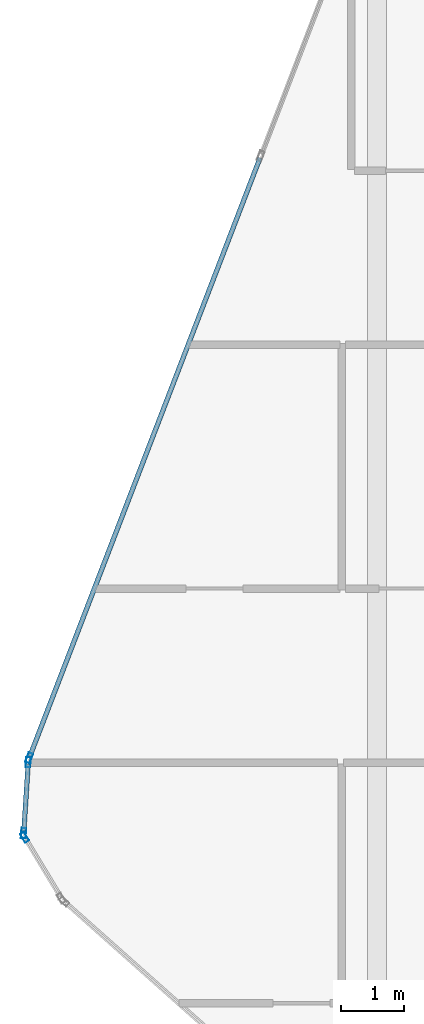
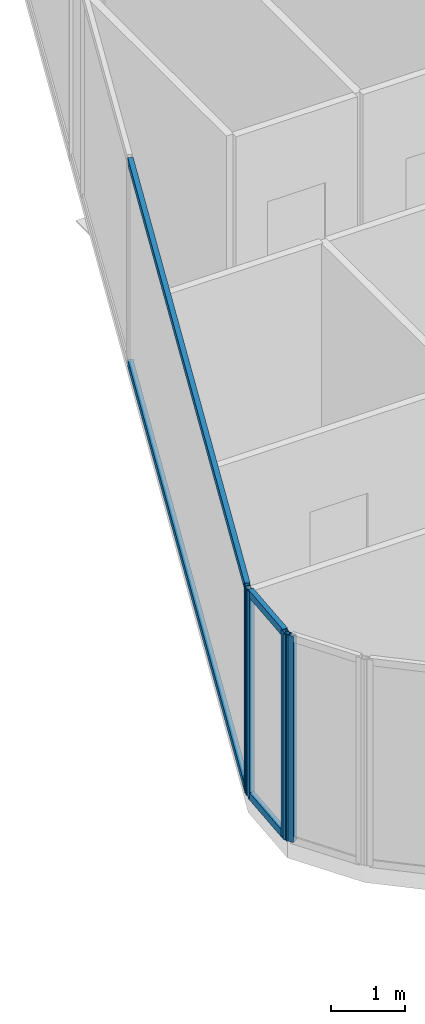
# One storey, part 8 of 27: 8 members, 3 elements without a shape of their own.
"""IFC4 building model written with IfcOpenShell, lengths in metres."""

from ifc_helpers import new_model, si_unit, direction, frame, origin, origin_2d, place, context, subcontext, project, spatial, hollow_rectangle, extrude, material, layer, layer_set, material_profile, profile_set, type_object, element, aggregate, save


model = new_model("IFC4")

# Units and contexts
model_context = context("Model", 3, precision=1e-05, world=origin(), true_north=direction((0.0, 1.0)))
body_context = subcontext(model_context, "Body", "Model", "MODEL_VIEW")
ifc_project = project(units=[si_unit("LENGTHUNIT", "METRE"), si_unit("AREAUNIT", "SQUARE_METRE"), si_unit("VOLUMEUNIT", "CUBIC_METRE"), si_unit("PLANEANGLEUNIT", "RADIAN"), si_unit("MASSUNIT", "GRAM", prefix="KILO")], contexts=[model_context])

# Site, building, storey
site_placement = place(None, origin())
site = spatial("IfcSite", under=ifc_project, at=site_placement, CompositionType="ELEMENT")
building_placement = place(site_placement, origin())
building = spatial("IfcBuilding", under=site, at=building_placement, Name="Keshet Zoharim Tower", CompositionType="ELEMENT")
storey_placement = place(building_placement, frame((0.0, 0.0, 269.5)))
storey = spatial("IfcBuildingStorey", under=building, at=storey_placement, Name="L67", CompositionType="ELEMENT", Elevation=269.5)

# Curtain wall, member
ifc_material = material(Name="Aluminium 6063-T6", Category="aluminium")
ifc_layer = layer(ifc_material, 0.260009765625)
ifc_layer_set = layer_set([ifc_layer], Name="Aluminium 6063-T6")
curtain_wall_type = type_object("IfcCurtainWallType", Name="CW-SYS-06", PredefinedType="NOTDEFINED", material=ifc_layer_set)
curtain_wall_1_placement = place(storey_placement, origin())
curtain_wall_1 = element("IfcCurtainWall", 1, at=curtain_wall_1_placement, inside=storey, type_object=curtain_wall_type, Name="L67 Unitised Curtain Wall 01", PredefinedType="NOTDEFINED")
ifc_material_profile_1 = material_profile(ifc_material, hollow_rectangle(XDim=0.074951171875, YDim=0.159912109375, WallThickness=0.00390625, at=origin_2d()), Name="MUL-75x160")
ifc_profile_set_1 = profile_set([ifc_material_profile_1], Name="Aluminium 6063-T6")
member_type_1 = type_object("IfcMemberType", Name="CWM-M15", PredefinedType="MULLION", material=ifc_profile_set_1)
member_1_placement = place(storey_placement, frame((3.43798828125, 22.77197265625, 0.0), z_axis=(0.0, 0.0, 1.0), x_axis=(-0.856826433805, -0.515604947933, 0.0)))
member_1 = element("IfcMember", 2, at=member_1_placement, type_object=member_type_1, Name="CW-06 mullion 2", PredefinedType="MULLION", context=body_context, shape_type="SweptSolid", body=[
    extrude(hollow_rectangle(XDim=0.074951171875, YDim=0.159912109375, WallThickness=0.00390625, at=origin_2d()), origin(), (0.0, 0.0, 1.0), 3.389892578125),
])
aggregate(curtain_wall_1, [member_1])

# Curtain wall, members
curtain_wall_2_placement = place(storey_placement, origin())
curtain_wall_2 = element("IfcCurtainWall", 3, at=curtain_wall_2_placement, inside=storey, type_object=curtain_wall_type, Name="L67 Unitised Curtain Wall 02", PredefinedType="NOTDEFINED")
member_2_placement = place(storey_placement, frame((3.42236328125, 22.8369140625, 0.0), z_axis=(0.0, 0.0, 1.0), x_axis=(-0.997916617186, 0.064516859374, 0.0)))
member_2 = element("IfcMember", 4, at=member_2_placement, type_object=member_type_1, Name="CW-06 mullion 1", PredefinedType="MULLION", context=body_context, shape_type="SweptSolid", body=[
    extrude(hollow_rectangle(XDim=0.074951171875, YDim=0.159912109375, WallThickness=0.00390625, at=origin_2d()), origin(), (0.0, 0.0, 1.0), 3.389892578125),
])
member_3_placement = place(storey_placement, frame((3.49462890625, 23.9580078125, 0.0), z_axis=(0.0, 0.0, 1.0), x_axis=(-0.997916617186, 0.064516859374, 0.0)))
member_3 = element("IfcMember", 5, at=member_3_placement, type_object=member_type_1, Name="CW-06 mullion 2", PredefinedType="MULLION", context=body_context, shape_type="SweptSolid", body=[
    extrude(hollow_rectangle(XDim=0.074951171875, YDim=0.159912109375, WallThickness=0.00390625, at=origin_2d()), origin(), (0.0, 0.0, 1.0), 3.389892578125),
])

# Curtain wall, member
curtain_wall_3_placement = place(storey_placement, origin())
curtain_wall_3 = element("IfcCurtainWall", 6, at=curtain_wall_3_placement, inside=storey, type_object=curtain_wall_type, Name="L67 Unitised Curtain Wall 03", PredefinedType="NOTDEFINED")
member_4_placement = place(storey_placement, frame((3.509521484375, 24.025634765625, 0.0), z_axis=(0.0, 0.0, 1.0), x_axis=(-0.933341404361, 0.358990003907, 0.0)))
member_4 = element("IfcMember", 7, at=member_4_placement, type_object=member_type_1, Name="CW-06 mullion 1", PredefinedType="MULLION", context=body_context, shape_type="SweptSolid", body=[
    extrude(hollow_rectangle(XDim=0.074951171875, YDim=0.159912109375, WallThickness=0.00390625, at=origin_2d()), origin(), (0.0, 0.0, 1.0), 3.389892578125),
])

# Member
ifc_material_profile_2 = material_profile(ifc_material, hollow_rectangle(XDim=0.074951171875, YDim=0.1201171875, WallThickness=0.00390625, at=origin_2d()), Name="TRN-75x120")
ifc_profile_set_2 = profile_set([ifc_material_profile_2], Name="Aluminium 6063-T6")
member_type_2 = type_object("IfcMemberType", Name="CWT-T12", PredefinedType="USERDEFINED", material=ifc_profile_set_2)
member_5_placement = place(storey_placement, frame((3.424560546875, 22.871826171875, 0.034912109375), z_axis=(0.064426947155, 0.997922426083, 0.0), x_axis=(-0.997922426083, 0.064426947155, 0.0)))
member_5 = element("IfcMember", 8, at=member_5_placement, type_object=member_type_2, Name="CW-06 transom 1.1", ObjectType="TRANSOM", PredefinedType="USERDEFINED", context=body_context, shape_type="SweptSolid", body=[
    extrude(hollow_rectangle(XDim=0.074951171875, YDim=0.1201171875, WallThickness=0.00390625, at=origin_2d()), origin(), (0.0, 0.0, 1.0), 1.053466796875),
])

member_6_placement = place(storey_placement, frame((3.424560546875, 22.871826171875, 3.35498046875), z_axis=(0.064426947155, 0.997922426083, 0.0), x_axis=(-0.997922426083, 0.064426947155, 0.0)))
member_6 = element("IfcMember", 9, at=member_6_placement, type_object=member_type_2, Name="CW-06 transom 1.2", ObjectType="TRANSOM", PredefinedType="USERDEFINED", context=body_context, shape_type="SweptSolid", body=[
    extrude(hollow_rectangle(XDim=0.074951171875, YDim=0.1201171875, WallThickness=0.00390625, at=origin_2d()), origin(), (0.0, 0.0, 1.0), 1.053466796875),
])

aggregate(curtain_wall_2, [member_2, member_3, member_5, member_6])

member_7_placement = place(storey_placement, frame((3.522216796875, 24.058349609375, 0.034912109375), z_axis=(0.358993631387, 0.93334000912, 0.0), x_axis=(-0.93334000912, 0.358993631387, 0.0)))
member_7 = element("IfcMember", 10, at=member_7_placement, type_object=member_type_2, Name="CW-06 transom 1.1", ObjectType="TRANSOM", PredefinedType="USERDEFINED", context=body_context, shape_type="SweptSolid", body=[
    extrude(hollow_rectangle(XDim=0.074951171875, YDim=0.1201171875, WallThickness=0.00390625, at=origin_2d()), origin(), (0.0, 0.0, 1.0), 10.1181640625),
])

member_8_placement = place(storey_placement, frame((3.522216796875, 24.058349609375, 3.35498046875), z_axis=(0.358993631387, 0.93334000912, 0.0), x_axis=(-0.93334000912, 0.358993631387, 0.0)))
member_8 = element("IfcMember", 11, at=member_8_placement, type_object=member_type_2, Name="CW-06 transom 1.2", ObjectType="TRANSOM", PredefinedType="USERDEFINED", context=body_context, shape_type="SweptSolid", body=[
    extrude(hollow_rectangle(XDim=0.074951171875, YDim=0.1201171875, WallThickness=0.00390625, at=origin_2d()), origin(), (0.0, 0.0, 1.0), 10.1181640625),
])

aggregate(curtain_wall_3, [member_4, member_7, member_8])

save(model, "model.ifc")
